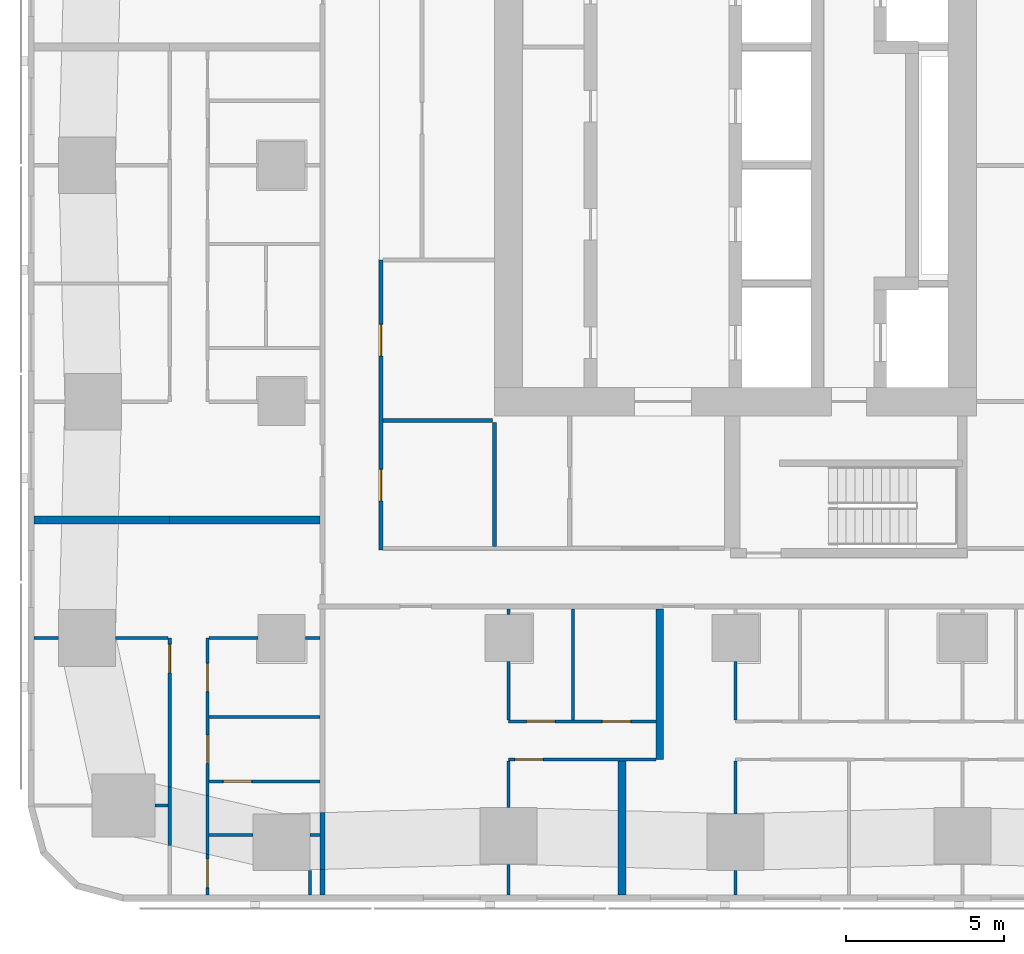
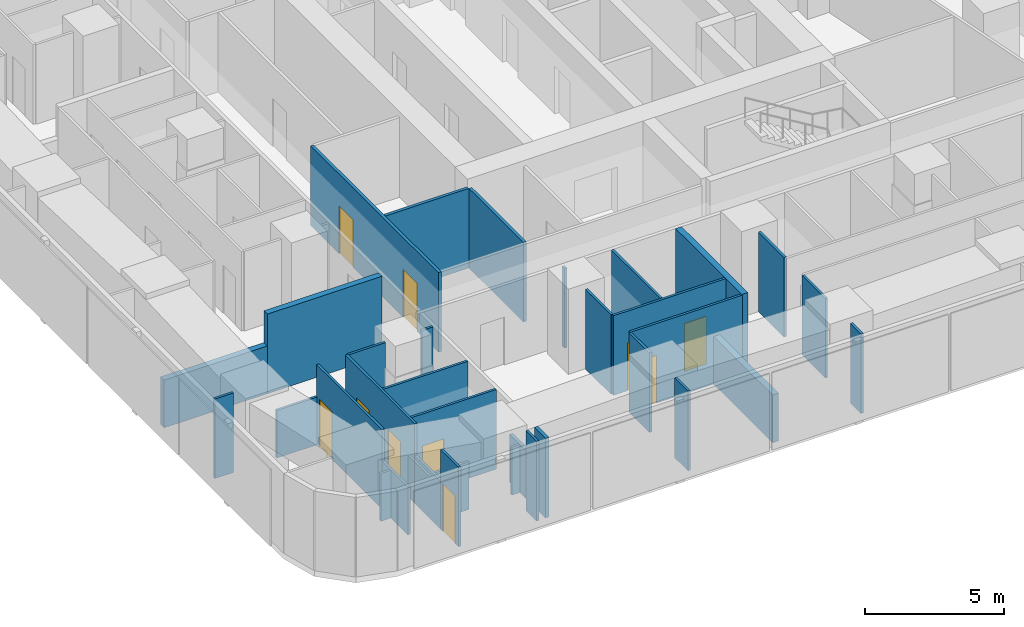
# One storey, part 2 of 15: 34 walls, 10 doors, 10 openings.
"""IFC4 building model written with IfcOpenShell, lengths in metres."""

import ifcopenshell
import ifcopenshell.guid

model = None  # the IFC model being written
_history = None  # IfcOwnerHistory: only IFC2X3 demands one
_inside = {}  # id of a spatial element -> (the spatial element, [elements in it])
_under = {}  # id of a project, library or spatial element -> (it, [spatial elements below it])
_declared = {}  # id of a project -> (the project, [libraries it declares])
_typed = {}  # id of a type object -> (the type object, [elements of that type])
_made_of = {}  # id of a material, layer set ... -> (it, [elements and type objects made of it])


def new_model(schema):
    """Start an empty IFC model of exactly this schema.

    Asked for "IFC4X3", IfcOpenShell would pick the latest addendum, in which some entities
    have other attributes; the version numbers below select the first issue.
    IFC2X3 requires an IfcOwnerHistory on every rooted entity: one is made here for all.
    """
    global model, _history
    if schema == "IFC4X3":
        model = ifcopenshell.file(schema_version=(4, 3, 0, 0))
    else:
        model = ifcopenshell.file(schema=schema)
    _inside.clear()
    _under.clear()
    _declared.clear()
    _typed.clear()
    _made_of.clear()
    _history = None
    if model.schema == "IFC2X3":
        org = make("IfcOrganization", Name="unknown")
        user = make(
            "IfcPersonAndOrganization",
            ThePerson=make("IfcPerson", FamilyName="unknown"),
            TheOrganization=org,
        )
        app = make(
            "IfcApplication",
            ApplicationDeveloper=org,
            Version="unknown",
            ApplicationFullName="unknown",
            ApplicationIdentifier="unknown",
        )
        _history = make(
            "IfcOwnerHistory",
            OwningUser=user,
            OwningApplication=app,
            ChangeAction="ADDED",
            CreationDate=0,
        )
    return model


def make(cls, **values):
    """One entity of the class cls with the attributes given. An attribute that is None is left unset."""
    return model.create_entity(
        cls, **{name: value for name, value in values.items() if value is not None}
    )


def rooted(cls, **values):
    """An entity with a GlobalId (a new one), such as an element, a storey or a relation."""
    return make(cls, GlobalId=ifcopenshell.guid.new(), OwnerHistory=_history, **values)


def si_unit(unit_type, name, prefix=None):
    """IfcSIUnit, for example si_unit("LENGTHUNIT", "METRE", prefix="MILLI")."""
    return make("IfcSIUnit", UnitType=unit_type, Prefix=prefix, Name=name)


def assignment(units):
    """IfcUnitAssignment: the units of a project."""
    return None if units is None else make("IfcUnitAssignment", Units=units)


def point(xyz):
    """IfcCartesianPoint."""
    return None if xyz is None else make("IfcCartesianPoint", Coordinates=xyz)


def direction(xyz):
    """IfcDirection."""
    return None if xyz is None else make("IfcDirection", DirectionRatios=xyz)


def frame(location, z_axis=None, x_axis=None):
    """IfcAxis2Placement3D, a coordinate frame: its origin and axes. An axis left out is left unset."""
    return make(
        "IfcAxis2Placement3D",
        Location=point(location),
        Axis=direction(z_axis),
        RefDirection=direction(x_axis),
    )


def frame_2d(location, x_axis=None):
    """IfcAxis2Placement2D, a coordinate frame in the plane: its origin and x axis."""
    return make(
        "IfcAxis2Placement2D", Location=point(location), RefDirection=direction(x_axis)
    )


def origin():
    """The frame at (0, 0, 0) with its axes left unset."""
    return frame((0.0, 0.0, 0.0))


def place(relative_to, where):
    """IfcLocalPlacement: puts the frame where relative to a parent placement (None: the world)."""
    return make(
        "IfcLocalPlacement", PlacementRelTo=relative_to, RelativePlacement=where
    )


def context(
    kind, dimensions, precision=None, world=None, true_north=None, identifier=None
):
    """IfcGeometricRepresentationContext, for example the 3D "Model" context."""
    return make(
        "IfcGeometricRepresentationContext",
        ContextIdentifier=identifier,
        ContextType=kind,
        CoordinateSpaceDimension=dimensions,
        Precision=precision,
        WorldCoordinateSystem=world,
        TrueNorth=true_north,
    )


def subcontext(parent, identifier, kind, view, scale=None):
    """IfcGeometricRepresentationSubContext, for example "Body" below "Model"."""
    return make(
        "IfcGeometricRepresentationSubContext",
        ContextIdentifier=identifier,
        ContextType=kind,
        ParentContext=parent,
        TargetScale=scale,
        TargetView=view,
    )


def project(units=None, contexts=None):
    """IfcProject with its units and contexts."""
    return rooted(
        "IfcProject",
        Name="project",
        RepresentationContexts=contexts,
        UnitsInContext=assignment(units),
    )


def spatial(cls, under=None, at=None, **own):
    """A site, building, storey or space (cls), placed at a placement, below another one or the project."""
    s = rooted(cls, ObjectPlacement=at, **own)
    if under is not None:
        _under.setdefault(under.id(), (under, []))[1].append(s)
    return s


def profile(cls, at=None, kind="AREA", **sizes):
    """A parametric profile (cls). Its sizes go by their IFC names, for example OverallWidth=200.0."""
    return make(cls, ProfileType=kind, Position=at, **sizes)


def rectangle(**sizes):
    """IfcRectangleProfileDef."""
    return profile("IfcRectangleProfileDef", **sizes)


def extrude(swept, where, along, depth):
    """IfcExtrudedAreaSolid: the profile swept, set in the frame where, extruded along a direction by depth."""
    return make(
        "IfcExtrudedAreaSolid",
        SweptArea=swept,
        Position=where,
        ExtrudedDirection=direction(along),
        Depth=depth,
    )


def shape(context_of_items, identifier, shape_type, items):
    """IfcShapeRepresentation: the items that make up one representation, for example the "Body"."""
    return make(
        "IfcShapeRepresentation",
        ContextOfItems=context_of_items,
        RepresentationIdentifier=identifier,
        RepresentationType=shape_type,
        Items=items,
    )


def material(Name=None, Category=None):
    """IfcMaterial."""
    return make("IfcMaterial", Name=Name, Category=Category)


def layer(
    of_material, thickness, ventilated=None, Name=None, Category=None, Priority=None
):
    """IfcMaterialLayer: one layer of a wall or slab, of a material (None: an air gap)."""
    return make(
        "IfcMaterialLayer",
        Material=of_material,
        LayerThickness=thickness,
        IsVentilated=ventilated,
        Name=Name,
        Category=Category,
        Priority=Priority,
    )


def layer_set(layers, Name=None):
    """IfcMaterialLayerSet."""
    return make("IfcMaterialLayerSet", MaterialLayers=layers, LayerSetName=Name)


def made_of(thing, what):
    """Note that an element or type object is made of a material, layer set ...; save() writes the relation."""
    if what is not None:
        _made_of.setdefault(what.id(), (what, []))[1].append(thing)
    return thing


def type_object(cls, material=None, **own):
    """A type object (cls), such as IfcWallType, which elements share."""
    return made_of(rooted(cls, **own), material)


def element(
    cls,
    number,
    at=None,
    inside=None,
    cuts=None,
    type_object=None,
    material=None,
    context=None,
    identifier="Body",
    shape_type=None,
    held_by="IfcProductDefinitionShape",
    body=None,
    shapes=None,
    **own,
):
    """One element of the class cls, such as IfcWall. Its Tag is "e" and its number.

    at: its placement. inside: the storey or other place that contains it. cuts: it is an
    opening in that element (IfcRelVoidsElement). A single representation is given by context,
    identifier, shape_type and body (its items); several are given by shapes. held_by: the class
    of the entity that holds the representations. save() writes the other relations.
    """
    e = rooted(cls, Tag="e%d" % number, ObjectPlacement=at, **own)
    if body is not None:
        shapes = [shape(context, identifier, shape_type, body)]
    if shapes is not None:
        e.Representation = make(held_by, Representations=shapes)
    if inside is not None:
        _inside.setdefault(inside.id(), (inside, []))[1].append(e)
    if cuts is not None:
        rooted(
            "IfcRelVoidsElement", RelatingBuildingElement=cuts, RelatedOpeningElement=e
        )
    if type_object is not None:
        _typed.setdefault(type_object.id(), (type_object, []))[1].append(e)
    return made_of(e, material)


def fill(opening, filler):
    """IfcRelFillsElement: the door or window that sits in an opening."""
    return rooted(
        "IfcRelFillsElement",
        RelatingOpeningElement=opening,
        RelatedBuildingElement=filler,
    )


def aggregate(whole, parts):
    """IfcRelAggregates: a whole, such as a stair, and the parts it consists of."""
    return rooted("IfcRelAggregates", RelatingObject=whole, RelatedObjects=parts)


def save(model, path):
    """Write the relations noted so far, then the file.

    IfcRelAggregates (storeys below a building ...), IfcRelContainedInSpatialStructure (elements
    in a storey), IfcRelDefinesByType, IfcRelAssociatesMaterial and IfcRelDeclares: one each for
    every whole, place, type object, material and project.
    """
    for whole, parts in _under.values():
        aggregate(whole, parts)
    for where, things in _inside.values():
        rooted(
            "IfcRelContainedInSpatialStructure",
            RelatedElements=things,
            RelatingStructure=where,
        )
    for kind, things in _typed.values():
        rooted("IfcRelDefinesByType", RelatedObjects=things, RelatingType=kind)
    for what, things in _made_of.values():
        rooted("IfcRelAssociatesMaterial", RelatedObjects=things, RelatingMaterial=what)
    for by, libraries in _declared.values():
        rooted("IfcRelDeclares", RelatingContext=by, RelatedDefinitions=libraries)
    model.write(path)


model = new_model("IFC4")

# Units and contexts
model_context = context("Model", 3, precision=1e-05, world=origin(), true_north=direction((0.0, 1.0)))
body_context = subcontext(model_context, "Body", "Model", "MODEL_VIEW")
ifc_project = project(units=[si_unit("LENGTHUNIT", "METRE"), si_unit("AREAUNIT", "SQUARE_METRE"), si_unit("VOLUMEUNIT", "CUBIC_METRE"), si_unit("PLANEANGLEUNIT", "RADIAN"), si_unit("MASSUNIT", "GRAM", prefix="KILO")], contexts=[model_context])

# Site, building, storey
site_placement = place(None, origin())
site = spatial("IfcSite", under=ifc_project, at=site_placement, CompositionType="ELEMENT")
building_placement = place(site_placement, origin())
building = spatial("IfcBuilding", under=site, at=building_placement, Name="Sheger Commons Tower", CompositionType="ELEMENT")
storey_placement = place(building_placement, frame((0.0, 0.0, 162.050048828125)))
storey = spatial("IfcBuildingStorey", under=building, at=storey_placement, Name="L41", CompositionType="ELEMENT", Elevation=162.050048828125)

# Walls
ifc_material_1 = material(Name="Hollow concrete block masonry, skimmed both sides", Category="masonry")
ifc_layer_1 = layer(ifc_material_1, 0.14990234375)
ifc_layer_set_1 = layer_set([ifc_layer_1], Name="CORRIDOR WALL 150")
wall_type_1 = type_object("IfcWallType", Name="CORRIDOR WALL 150", PredefinedType="SOLIDWALL", material=ifc_layer_set_1)
wall_1_placement = place(storey_placement, frame((8.5, -0.64990234375, 0.0), z_axis=(0.0, 0.0, 1.0), x_axis=(0.0, 1.0, 0.0)))
element("IfcWall", 1, at=wall_1_placement, inside=storey, type_object=wall_type_1, Name="Corridor wall L41", PredefinedType="SOLIDWALL", context=body_context, shape_type="SweptSolid", body=[
    extrude(rectangle(XDim=0.808837890625, YDim=0.14990234375, at=frame_2d((0.404296875, 0.0))), origin(), (0.0, 0.0, 1.0), 3.5),
])
wall_2_placement = place(storey_placement, frame((8.5, 0.158935546875, 0.0), z_axis=(0.0, 0.0, 1.0), x_axis=(0.0, 1.0, 0.0)))
element("IfcWall", 2, at=wall_2_placement, inside=storey, type_object=wall_type_1, Name="Corridor wall L41", PredefinedType="SOLIDWALL", context=body_context, shape_type="SweptSolid", body=[
    extrude(rectangle(XDim=1.80517578125, YDim=0.14990234375, at=frame_2d((0.902587890625, 0.0))), origin(), (0.0, 0.0, 1.0), 2.099853515625),
])
ifc_material_2 = material(Name="Dense concrete block masonry, plastered both sides (separating wall between flats)", Category="masonry")
ifc_layer_2 = layer(ifc_material_2, 0.25)
ifc_layer_set_2 = layer_set([ifc_layer_2], Name="DEMISING WALL 250")
wall_type_2 = type_object("IfcWallType", Name="DEMISING WALL 250", PredefinedType="SOLIDWALL", material=ifc_layer_set_2)
wall_3_placement = place(storey_placement, frame((-0.64990234375, 11.25, 0.0), z_axis=(0.0, 0.0, 1.0), x_axis=(1.0, 0.0, 0.0)))
element("IfcWall", 3, at=wall_3_placement, inside=storey, type_object=wall_type_2, Name="Demising wall L41", PredefinedType="SOLIDWALL", context=body_context, shape_type="SweptSolid", body=[
    extrude(rectangle(XDim=4.2998046875, YDim=0.25, at=frame_2d((2.14990234375, 0.0))), origin(), (0.0, 0.0, 1.0), 2.099853515625),
])
wall_4_placement = place(storey_placement, frame((3.64990234375, 11.25, 0.0), z_axis=(0.0, 0.0, 1.0), x_axis=(1.0, 0.0, 0.0)))
element("IfcWall", 4, at=wall_4_placement, inside=storey, type_object=wall_type_2, Name="Demising wall L41", PredefinedType="SOLIDWALL", context=body_context, shape_type="SweptSolid", body=[
    extrude(rectangle(XDim=4.775146484375, YDim=0.25, at=frame_2d((2.3876953125, 0.0))), origin(), (0.0, 0.0, 1.0), 3.5),
])
wall_5_placement = place(storey_placement, frame((18.0, -0.64990234375, 0.0), z_axis=(0.0, 0.0, 1.0), x_axis=(0.0, 1.0, 0.0)))
element("IfcWall", 5, at=wall_5_placement, inside=storey, type_object=wall_type_2, Name="Demising wall L41", PredefinedType="SOLIDWALL", context=body_context, shape_type="SweptSolid", body=[
    extrude(rectangle(XDim=4.25, YDim=0.25, at=frame_2d((2.125, 0.0))), origin(), (0.0, 0.0, 1.0), 2.099853515625),
])
wall_6_placement = place(storey_placement, frame((19.198974609375, 3.64990234375, 0.0), z_axis=(0.0, 0.0, 1.0), x_axis=(0.0, 1.0, 0.0)))
element("IfcWall", 6, at=wall_6_placement, inside=storey, type_object=wall_type_2, Name="Demising wall L41", PredefinedType="SOLIDWALL", context=body_context, shape_type="SweptSolid", body=[
    extrude(rectangle(XDim=4.775146484375, YDim=0.25, at=frame_2d((2.3876953125, 0.0))), origin(), (0.0, 0.0, 1.0), 3.5),
])
ifc_material_3 = material(Name="Gypsum board on steel studs", Category="steel")
ifc_layer_3 = layer(ifc_material_3, 0.10009765625)
ifc_layer_set_3 = layer_set([ifc_layer_3], Name="PARTITION 100")
wall_type_3 = type_object("IfcWallType", Name="PARTITION 100", PredefinedType="PARTITIONING", material=ifc_layer_set_3)
wall_7_placement = place(storey_placement, frame((8.10009765625, 0.1240234375, 0.0), z_axis=(0.0, 0.0, 1.0), x_axis=(0.0, -1.0, 0.0)))
element("IfcWall", 7, at=wall_7_placement, inside=storey, type_object=wall_type_3, Name="Partition L41", PredefinedType="PARTITIONING", context=body_context, shape_type="SweptSolid", body=[
    extrude(rectangle(XDim=0.77392578125, YDim=0.10009765625, at=frame_2d((0.386962890625, 0.0))), origin(), (0.0, 0.0, 1.0), 3.5),
])
wall_8_placement = place(storey_placement, frame((3.64990234375, 0.912109375, 0.0), z_axis=(0.0, 0.0, 1.0), x_axis=(0.0, 1.0, 0.0)))
element("IfcWall", 8, at=wall_8_placement, inside=storey, type_object=wall_type_3, Name="Partition L41", PredefinedType="PARTITIONING", context=body_context, shape_type="SweptSolid", body=[
    extrude(rectangle(XDim=1.869873046875, YDim=0.10009765625, at=frame_2d((0.93505859375, 0.0))), origin(), (0.0, 0.0, 1.0), 2.099853515625),
])

# Wall, opening, door
wall_9_placement = place(storey_placement, frame((3.64990234375, 2.781982421875, 0.0), z_axis=(0.0, 0.0, 1.0), x_axis=(0.0, 1.0, 0.0)))
wall_9 = element("IfcWall", 9, at=wall_9_placement, inside=storey, type_object=wall_type_3, Name="Partition L41", PredefinedType="PARTITIONING", context=body_context, shape_type="SweptSolid", body=[
    extrude(rectangle(XDim=4.718017578125, YDim=0.10009765625, at=frame_2d((2.35888671875, 0.0))), origin(), (0.0, 0.0, 1.0), 3.5),
])
opening_1_placement = place(wall_9_placement, frame((3.617919921875, 0.0, 0.0)))
opening_1 = element("IfcOpeningElement", 10, at=opening_1_placement, cuts=wall_9, Name="Opening D2", PredefinedType="OPENING", context=body_context, shape_type="SweptSolid", body=[
    extrude(rectangle(XDim=0.89990234375, YDim=2.10009765625, at=frame_2d((0.449951171875, 1.050048828125))), frame((0.0, 0.06005859375, 0.0), z_axis=(0.0, -1.0, 0.0), x_axis=(1.0, 0.0, 0.0)), (0.0, 0.0, 1.0), 0.1201171875),
])
ifc_material_4 = material(Name="Timber door set", Category="wood")
door_type_1 = type_object("IfcDoorType", Name="INTERNAL DOOR 900x2100", OperationType="NOTDEFINED", PredefinedType="DOOR", material=ifc_material_4)
door_1_placement = place(opening_1_placement, origin())
door_1 = element("IfcDoor", 11, at=door_1_placement, inside=storey, type_object=door_type_1, Name="Main bedroom door", OperationType="SINGLE_SWING_RIGHT", OverallHeight=2.10009765625, OverallWidth=0.89990234375, PredefinedType="DOOR", context=body_context, shape_type="SweptSolid", body=[
    extrude(rectangle(XDim=0.89990234375, YDim=2.10009765625, at=frame_2d((0.449951171875, 1.050048828125))), frame((0.0, 0.02490234375, 0.0), z_axis=(0.0, -1.0, 0.0), x_axis=(1.0, 0.0, 0.0)), (0.0, 0.0, 1.0), 0.050048828125),
])
fill(opening_1, door_1)

wall_10_placement = place(storey_placement, frame((4.85009765625, -0.64990234375, 0.0), z_axis=(0.0, 0.0, 1.0), x_axis=(0.0, 1.0, 0.0)))
wall_10 = element("IfcWall", 12, at=wall_10_placement, inside=storey, type_object=wall_type_3, Name="Partition L41", PredefinedType="PARTITIONING", context=body_context, shape_type="SweptSolid", body=[
    extrude(rectangle(XDim=1.283935546875, YDim=0.10009765625, at=frame_2d((0.64208984375, 0.0))), origin(), (0.0, 0.0, 1.0), 3.5),
])
opening_2_placement = place(wall_10_placement, frame((0.23388671875, 0.0, 0.0)))
opening_2 = element("IfcOpeningElement", 13, at=opening_2_placement, cuts=wall_10, Name="Opening D2", PredefinedType="OPENING", context=body_context, shape_type="SweptSolid", body=[
    extrude(rectangle(XDim=0.89990234375, YDim=2.10009765625, at=frame_2d((0.449951171875, 1.050048828125))), frame((0.0, 0.06005859375, 0.0), z_axis=(0.0, -1.0, 0.0), x_axis=(1.0, 0.0, 0.0)), (0.0, 0.0, 1.0), 0.1201171875),
])
door_2_placement = place(opening_2_placement, origin())
door_2 = element("IfcDoor", 14, at=door_2_placement, inside=storey, type_object=door_type_1, Name="Laundry room door", OperationType="SINGLE_SWING_LEFT", OverallHeight=2.10009765625, OverallWidth=0.89990234375, PredefinedType="DOOR", context=body_context, shape_type="SweptSolid", body=[
    extrude(rectangle(XDim=0.89990234375, YDim=2.10009765625, at=frame_2d((0.449951171875, 1.050048828125))), frame((0.0, 0.02490234375, 0.0), z_axis=(0.0, -1.0, 0.0), x_axis=(1.0, 0.0, 0.0)), (0.0, 0.0, 1.0), 0.050048828125),
])
fill(opening_2, door_2)

# Wall
wall_11_placement = place(storey_placement, frame((4.85009765625, 0.634033203125, 0.0), z_axis=(0.0, 0.0, 1.0), x_axis=(0.0, 1.0, 0.0)))
element("IfcWall", 15, at=wall_11_placement, inside=storey, type_object=wall_type_3, Name="Partition L41", PredefinedType="PARTITIONING", context=body_context, shape_type="SweptSolid", body=[
    extrude(rectangle(XDim=1.870849609375, YDim=0.10009765625, at=frame_2d((0.935546875, 0.0))), origin(), (0.0, 0.0, 1.0), 2.099853515625),
])

# Wall, openings, doors
wall_12_placement = place(storey_placement, frame((4.85009765625, 2.5048828125, 0.0), z_axis=(0.0, 0.0, 1.0), x_axis=(0.0, 1.0, 0.0)))
wall_12 = element("IfcWall", 16, at=wall_12_placement, inside=storey, type_object=wall_type_3, Name="Partition L41", PredefinedType="PARTITIONING", context=body_context, shape_type="SweptSolid", body=[
    extrude(rectangle(XDim=4.9951171875, YDim=0.10009765625, at=frame_2d((2.49755859375, 0.0))), origin(), (0.0, 0.0, 1.0), 3.5),
])
opening_3_placement = place(wall_12_placement, frame((3.2939453125, 0.0, 0.0)))
opening_3 = element("IfcOpeningElement", 17, at=opening_3_placement, cuts=wall_12, Name="Opening D2", PredefinedType="OPENING", context=body_context, shape_type="SweptSolid", body=[
    extrude(rectangle(XDim=0.89990234375, YDim=2.10009765625, at=frame_2d((0.449951171875, 1.050048828125))), frame((0.0, 0.06005859375, 0.0), z_axis=(0.0, -1.0, 0.0), x_axis=(1.0, 0.0, 0.0)), (0.0, 0.0, 1.0), 0.1201171875),
])
opening_4_placement = place(wall_12_placement, frame((1.01904296875, 0.0, 0.0)))
opening_4 = element("IfcOpeningElement", 18, at=opening_4_placement, cuts=wall_12, Name="Opening D2", PredefinedType="OPENING", context=body_context, shape_type="SweptSolid", body=[
    extrude(rectangle(XDim=0.89990234375, YDim=2.10009765625, at=frame_2d((0.449951171875, 1.050048828125))), frame((0.0, 0.06005859375, 0.0), z_axis=(0.0, -1.0, 0.0), x_axis=(1.0, 0.0, 0.0)), (0.0, 0.0, 1.0), 0.1201171875),
])
door_3_placement = place(opening_3_placement, origin())
door_3 = element("IfcDoor", 19, at=door_3_placement, inside=storey, type_object=door_type_1, Name="Store and laundry door", OperationType="SINGLE_SWING_LEFT", OverallHeight=2.10009765625, OverallWidth=0.89990234375, PredefinedType="DOOR", context=body_context, shape_type="SweptSolid", body=[
    extrude(rectangle(XDim=0.89990234375, YDim=2.10009765625, at=frame_2d((0.449951171875, 1.050048828125))), frame((0.0, 0.02490234375, 0.0), z_axis=(0.0, -1.0, 0.0), x_axis=(1.0, 0.0, 0.0)), (0.0, 0.0, 1.0), 0.050048828125),
])
fill(opening_3, door_3)
door_4_placement = place(opening_4_placement, origin())
door_4 = element("IfcDoor", 20, at=door_4_placement, inside=storey, type_object=door_type_1, Name="Bathroom door", OperationType="SINGLE_SWING_LEFT", OverallHeight=2.10009765625, OverallWidth=0.89990234375, PredefinedType="DOOR", context=body_context, shape_type="SweptSolid", body=[
    extrude(rectangle(XDim=0.89990234375, YDim=2.10009765625, at=frame_2d((0.449951171875, 1.050048828125))), frame((0.0, 0.02490234375, 0.0), z_axis=(0.0, -1.0, 0.0), x_axis=(1.0, 0.0, 0.0)), (0.0, 0.0, 1.0), 0.050048828125),
])
fill(opening_4, door_4)

# Walls
wall_13_placement = place(storey_placement, frame((3.18701171875, 2.18603515625, 0.0), z_axis=(0.0, 0.0, 1.0), x_axis=(1.0, 0.0, 0.0)))
element("IfcWall", 21, at=wall_13_placement, inside=storey, type_object=wall_type_3, Name="Partition L41", PredefinedType="PARTITIONING", context=body_context, shape_type="SweptSolid", body=[
    extrude(rectangle(XDim=0.4130859375, YDim=0.10009765625, at=frame_2d((0.20654296875, 0.0))), origin(), (0.0, 0.0, 1.0), 2.099853515625),
])
wall_14_placement = place(storey_placement, frame((-0.64990234375, 7.5, 0.0), z_axis=(0.0, 0.0, 1.0), x_axis=(1.0, 0.0, 0.0)))
element("IfcWall", 22, at=wall_14_placement, inside=storey, type_object=wall_type_3, Name="Partition L41", PredefinedType="PARTITIONING", context=body_context, shape_type="SweptSolid", body=[
    extrude(rectangle(XDim=0.77392578125, YDim=0.10009765625, at=frame_2d((0.386962890625, 0.0))), origin(), (0.0, 0.0, 1.0), 3.5),
])
wall_15_placement = place(storey_placement, frame((1.926025390625, 7.5, 0.0), z_axis=(0.0, 0.0, 1.0), x_axis=(1.0, 0.0, 0.0)))
element("IfcWall", 23, at=wall_15_placement, inside=storey, type_object=wall_type_3, Name="Partition L41", PredefinedType="PARTITIONING", context=body_context, shape_type="SweptSolid", body=[
    extrude(rectangle(XDim=1.674072265625, YDim=0.10009765625, at=frame_2d((0.8369140625, 0.0))), origin(), (0.0, 0.0, 1.0), 2.099853515625),
])
wall_16_placement = place(storey_placement, frame((4.89990234375, 4.9990234375, 0.0), z_axis=(0.0, 0.0, 1.0), x_axis=(1.0, 0.0, 0.0)))
element("IfcWall", 24, at=wall_16_placement, inside=storey, type_object=wall_type_3, Name="Partition L41", PredefinedType="PARTITIONING", context=body_context, shape_type="SweptSolid", body=[
    extrude(rectangle(XDim=3.525146484375, YDim=0.10009765625, at=frame_2d((1.7626953125, 0.0))), origin(), (0.0, 0.0, 1.0), 3.5),
])
wall_17_placement = place(storey_placement, frame((4.89990234375, 7.5, 0.0), z_axis=(0.0, 0.0, 1.0), x_axis=(1.0, 0.0, 0.0)))
element("IfcWall", 25, at=wall_17_placement, inside=storey, type_object=wall_type_3, Name="Partition L41", PredefinedType="PARTITIONING", context=body_context, shape_type="SweptSolid", body=[
    extrude(rectangle(XDim=1.549072265625, YDim=0.10009765625, at=frame_2d((0.7744140625, 0.0))), origin(), (0.0, 0.0, 1.0), 3.5),
])
wall_18_placement = place(storey_placement, frame((7.950927734375, 7.5, 0.0), z_axis=(0.0, 0.0, 1.0), x_axis=(1.0, 0.0, 0.0)))
element("IfcWall", 26, at=wall_18_placement, inside=storey, type_object=wall_type_3, Name="Partition L41", PredefinedType="PARTITIONING", context=body_context, shape_type="SweptSolid", body=[
    extrude(rectangle(XDim=0.47412109375, YDim=0.10009765625, at=frame_2d((0.237060546875, 0.0))), origin(), (0.0, 0.0, 1.0), 3.5),
])
wall_19_placement = place(storey_placement, frame((4.89990234375, 1.2490234375, 0.0), z_axis=(0.0, 0.0, 1.0), x_axis=(1.0, 0.0, 0.0)))
element("IfcWall", 27, at=wall_19_placement, inside=storey, type_object=wall_type_3, Name="Partition L41", PredefinedType="PARTITIONING", context=body_context, shape_type="SweptSolid", body=[
    extrude(rectangle(XDim=1.399169921875, YDim=0.10009765625, at=frame_2d((0.69970703125, 0.0))), origin(), (0.0, 0.0, 1.0), 2.099853515625),
])
wall_20_placement = place(storey_placement, frame((8.10107421875, 1.2490234375, 0.0), z_axis=(0.0, 0.0, 1.0), x_axis=(1.0, 0.0, 0.0)))
element("IfcWall", 28, at=wall_20_placement, inside=storey, type_object=wall_type_3, Name="Partition L41", PredefinedType="PARTITIONING", context=body_context, shape_type="SweptSolid", body=[
    extrude(rectangle(XDim=0.323974609375, YDim=0.10009765625, at=frame_2d((0.162109375, 0.0))), origin(), (0.0, 0.0, 1.0), 2.099853515625),
])

# Wall, opening, door
wall_21_placement = place(storey_placement, frame((4.89990234375, 2.948974609375, 0.0), z_axis=(0.0, 0.0, 1.0), x_axis=(1.0, 0.0, 0.0)))
wall_21 = element("IfcWall", 29, at=wall_21_placement, inside=storey, type_object=wall_type_3, Name="Partition L41", PredefinedType="PARTITIONING", context=body_context, shape_type="SweptSolid", body=[
    extrude(rectangle(XDim=3.525146484375, YDim=0.10009765625, at=frame_2d((1.7626953125, 0.0))), origin(), (0.0, 0.0, 1.0), 3.5),
])
opening_5_placement = place(wall_21_placement, frame((0.449951171875, 0.0, 0.0)))
opening_5 = element("IfcOpeningElement", 30, at=opening_5_placement, cuts=wall_21, Name="Opening D2", PredefinedType="OPENING", context=body_context, shape_type="SweptSolid", body=[
    extrude(rectangle(XDim=0.89990234375, YDim=2.10009765625, at=frame_2d((0.449951171875, 1.050048828125))), frame((0.0, 0.06005859375, 0.0), z_axis=(0.0, -1.0, 0.0), x_axis=(1.0, 0.0, 0.0)), (0.0, 0.0, 1.0), 0.1201171875),
])
door_5_placement = place(opening_5_placement, origin())
door_5 = element("IfcDoor", 31, at=door_5_placement, inside=storey, type_object=door_type_1, Name="Linen store door", OperationType="SINGLE_SWING_RIGHT", OverallHeight=2.10009765625, OverallWidth=0.89990234375, PredefinedType="DOOR", context=body_context, shape_type="SweptSolid", body=[
    extrude(rectangle(XDim=0.89990234375, YDim=2.10009765625, at=frame_2d((0.449951171875, 1.050048828125))), frame((0.0, 0.02490234375, 0.0), z_axis=(0.0, -1.0, 0.0), x_axis=(1.0, 0.0, 0.0)), (0.0, 0.0, 1.0), 0.050048828125),
])
fill(opening_5, door_5)

wall_22_placement = place(storey_placement, frame((19.073974609375, 3.64990234375, 0.0), z_axis=(0.0, 0.0, 1.0), x_axis=(-1.0, 0.0, 0.0)))
wall_22 = element("IfcWall", 32, at=wall_22_placement, inside=storey, type_object=wall_type_3, Name="Partition L41", PredefinedType="PARTITIONING", context=body_context, shape_type="SweptSolid", body=[
    extrude(rectangle(XDim=4.674072265625, YDim=0.10009765625, at=frame_2d((2.3369140625, 0.0))), origin(), (0.0, 0.0, 1.0), 3.5),
])
opening_6_placement = place(wall_22_placement, frame((3.573974609375, 0.0, 0.0)))
opening_6 = element("IfcOpeningElement", 33, at=opening_6_placement, cuts=wall_22, Name="Opening D2", PredefinedType="OPENING", context=body_context, shape_type="SweptSolid", body=[
    extrude(rectangle(XDim=0.89990234375, YDim=2.10009765625, at=frame_2d((0.449951171875, 1.050048828125))), frame((0.0, 0.06005859375, 0.0), z_axis=(0.0, -1.0, 0.0), x_axis=(1.0, 0.0, 0.0)), (0.0, 0.0, 1.0), 0.1201171875),
])
door_6_placement = place(opening_6_placement, origin())
door_6 = element("IfcDoor", 34, at=door_6_placement, inside=storey, type_object=door_type_1, Name="Main bedroom door", OperationType="SINGLE_SWING_RIGHT", OverallHeight=2.10009765625, OverallWidth=0.89990234375, PredefinedType="DOOR", context=body_context, shape_type="SweptSolid", body=[
    extrude(rectangle(XDim=0.89990234375, YDim=2.10009765625, at=frame_2d((0.449951171875, 1.050048828125))), frame((0.0, 0.02490234375, 0.0), z_axis=(0.0, -1.0, 0.0), x_axis=(1.0, 0.0, 0.0)), (0.0, 0.0, 1.0), 0.050048828125),
])
fill(opening_6, door_6)

# Wall, openings, doors
wall_23_placement = place(storey_placement, frame((19.073974609375, 4.85009765625, 0.0), z_axis=(0.0, 0.0, 1.0), x_axis=(-1.0, 0.0, 0.0)))
wall_23 = element("IfcWall", 35, at=wall_23_placement, inside=storey, type_object=wall_type_3, Name="Partition L41", PredefinedType="PARTITIONING", context=body_context, shape_type="SweptSolid", body=[
    extrude(rectangle(XDim=4.674072265625, YDim=0.10009765625, at=frame_2d((2.3369140625, 0.0))), origin(), (0.0, 0.0, 1.0), 3.5),
])
opening_7_placement = place(wall_23_placement, frame((3.198974609375, 0.0, 0.0)))
opening_7 = element("IfcOpeningElement", 36, at=opening_7_placement, cuts=wall_23, Name="Opening D2", PredefinedType="OPENING", context=body_context, shape_type="SweptSolid", body=[
    extrude(rectangle(XDim=0.89990234375, YDim=2.10009765625, at=frame_2d((0.449951171875, 1.050048828125))), frame((0.0, 0.06005859375, 0.0), z_axis=(0.0, -1.0, 0.0), x_axis=(1.0, 0.0, 0.0)), (0.0, 0.0, 1.0), 0.1201171875),
])
opening_8_placement = place(wall_23_placement, frame((0.799072265625, 0.0, 0.0)))
opening_8 = element("IfcOpeningElement", 37, at=opening_8_placement, cuts=wall_23, Name="Opening D2", PredefinedType="OPENING", context=body_context, shape_type="SweptSolid", body=[
    extrude(rectangle(XDim=0.89990234375, YDim=2.10009765625, at=frame_2d((0.449951171875, 1.050048828125))), frame((0.0, 0.06005859375, 0.0), z_axis=(0.0, -1.0, 0.0), x_axis=(1.0, 0.0, 0.0)), (0.0, 0.0, 1.0), 0.1201171875),
])
door_7_placement = place(opening_7_placement, origin())
door_7 = element("IfcDoor", 38, at=door_7_placement, inside=storey, type_object=door_type_1, Name="Bathroom door", OperationType="SINGLE_SWING_LEFT", OverallHeight=2.10009765625, OverallWidth=0.89990234375, PredefinedType="DOOR", context=body_context, shape_type="SweptSolid", body=[
    extrude(rectangle(XDim=0.89990234375, YDim=2.10009765625, at=frame_2d((0.449951171875, 1.050048828125))), frame((0.0, 0.02490234375, 0.0), z_axis=(0.0, -1.0, 0.0), x_axis=(1.0, 0.0, 0.0)), (0.0, 0.0, 1.0), 0.050048828125),
])
fill(opening_7, door_7)
door_8_placement = place(opening_8_placement, origin())
door_8 = element("IfcDoor", 39, at=door_8_placement, inside=storey, type_object=door_type_1, Name="Store door", OperationType="SINGLE_SWING_RIGHT", OverallHeight=2.10009765625, OverallWidth=0.89990234375, PredefinedType="DOOR", context=body_context, shape_type="SweptSolid", body=[
    extrude(rectangle(XDim=0.89990234375, YDim=2.10009765625, at=frame_2d((0.449951171875, 1.050048828125))), frame((0.0, 0.02490234375, 0.0), z_axis=(0.0, -1.0, 0.0), x_axis=(1.0, 0.0, 0.0)), (0.0, 0.0, 1.0), 0.050048828125),
])
fill(opening_8, door_8)

# Walls
wall_24_placement = place(storey_placement, frame((14.39990234375, -0.64990234375, 0.0), z_axis=(0.0, 0.0, 1.0), x_axis=(0.0, 1.0, 0.0)))
element("IfcWall", 40, at=wall_24_placement, inside=storey, type_object=wall_type_3, Name="Partition L41", PredefinedType="PARTITIONING", context=body_context, shape_type="SweptSolid", body=[
    extrude(rectangle(XDim=0.973876953125, YDim=0.10009765625, at=frame_2d((0.48681640625, 0.0))), origin(), (0.0, 0.0, 1.0), 3.5),
])
wall_25_placement = place(storey_placement, frame((14.39990234375, 2.1259765625, 0.0), z_axis=(0.0, 0.0, 1.0), x_axis=(0.0, 1.0, 0.0)))
element("IfcWall", 41, at=wall_25_placement, inside=storey, type_object=wall_type_3, Name="Partition L41", PredefinedType="PARTITIONING", context=body_context, shape_type="SweptSolid", body=[
    extrude(rectangle(XDim=1.47412109375, YDim=0.10009765625, at=frame_2d((0.737060546875, 0.0))), origin(), (0.0, 0.0, 1.0), 3.5),
])
wall_26_placement = place(storey_placement, frame((14.39990234375, 4.89990234375, 0.0), z_axis=(0.0, 0.0, 1.0), x_axis=(0.0, 1.0, 0.0)))
element("IfcWall", 42, at=wall_26_placement, inside=storey, type_object=wall_type_3, Name="Partition L41", PredefinedType="PARTITIONING", context=body_context, shape_type="SweptSolid", body=[
    extrude(rectangle(XDim=1.84912109375, YDim=0.10009765625, at=frame_2d((0.924560546875, 0.0))), origin(), (0.0, 0.0, 1.0), 3.5),
])
wall_27_placement = place(storey_placement, frame((14.39990234375, 8.2509765625, 0.0), z_axis=(0.0, 0.0, 1.0), x_axis=(0.0, 1.0, 0.0)))
element("IfcWall", 43, at=wall_27_placement, inside=storey, type_object=wall_type_3, Name="Partition L41", PredefinedType="PARTITIONING", context=body_context, shape_type="SweptSolid", body=[
    extrude(rectangle(XDim=0.174072265625, YDim=0.10009765625, at=frame_2d((0.0869140625, 0.0))), origin(), (0.0, 0.0, 1.0), 3.5),
])
wall_28_placement = place(storey_placement, frame((16.449951171875, 4.89990234375, 0.0), z_axis=(0.0, 0.0, 1.0), x_axis=(0.0, 1.0, 0.0)))
element("IfcWall", 44, at=wall_28_placement, inside=storey, type_object=wall_type_3, Name="Partition L41", PredefinedType="PARTITIONING", context=body_context, shape_type="SweptSolid", body=[
    extrude(rectangle(XDim=3.525146484375, YDim=0.10009765625, at=frame_2d((1.7626953125, 0.0))), origin(), (0.0, 0.0, 1.0), 3.5),
])
wall_29_placement = place(storey_placement, frame((21.60009765625, -0.64990234375, 0.0), z_axis=(0.0, 0.0, 1.0), x_axis=(0.0, 1.0, 0.0)))
element("IfcWall", 45, at=wall_29_placement, inside=storey, type_object=wall_type_3, Name="Partition L41", PredefinedType="PARTITIONING", context=body_context, shape_type="SweptSolid", body=[
    extrude(rectangle(XDim=0.77392578125, YDim=0.10009765625, at=frame_2d((0.386962890625, 0.0))), origin(), (0.0, 0.0, 1.0), 3.5),
])
wall_30_placement = place(storey_placement, frame((21.60009765625, 1.926025390625, 0.0), z_axis=(0.0, 0.0, 1.0), x_axis=(0.0, 1.0, 0.0)))
element("IfcWall", 46, at=wall_30_placement, inside=storey, type_object=wall_type_3, Name="Partition L41", PredefinedType="PARTITIONING", context=body_context, shape_type="SweptSolid", body=[
    extrude(rectangle(XDim=1.674072265625, YDim=0.10009765625, at=frame_2d((0.8369140625, 0.0))), origin(), (0.0, 0.0, 1.0), 3.5),
])
wall_31_placement = place(storey_placement, frame((21.60009765625, 4.89990234375, 0.0), z_axis=(0.0, 0.0, 1.0), x_axis=(0.0, 1.0, 0.0)))
element("IfcWall", 47, at=wall_31_placement, inside=storey, type_object=wall_type_3, Name="Partition L41", PredefinedType="PARTITIONING", context=body_context, shape_type="SweptSolid", body=[
    extrude(rectangle(XDim=1.84912109375, YDim=0.10009765625, at=frame_2d((0.924560546875, 0.0))), origin(), (0.0, 0.0, 1.0), 3.5),
])

# Wall, openings, doors
ifc_material_5 = material(Name="Gypsum board on steel studs, two layers each side, fire rated", Category="steel")
ifc_layer_4 = layer(ifc_material_5, 0.125)
ifc_layer_set_4 = layer_set([ifc_layer_4], Name="SERVICE WALL 125")
wall_type_4 = type_object("IfcWallType", Name="SERVICE WALL 125", PredefinedType="PARTITIONING", material=ifc_layer_set_4)
wall_32_placement = place(storey_placement, frame((10.35009765625, 10.300048828125, 0.0), z_axis=(0.0, 0.0, 1.0), x_axis=(0.0, 1.0, 0.0)))
wall_32 = element("IfcWall", 48, at=wall_32_placement, inside=storey, type_object=wall_type_4, Name="Service room wall L41", PredefinedType="PARTITIONING", context=body_context, shape_type="SweptSolid", body=[
    extrude(rectangle(XDim=9.199951171875, YDim=0.125, at=frame_2d((4.60009765625, 0.0))), origin(), (0.0, 0.0, 1.0), 3.5),
])
opening_9_placement = place(wall_32_placement, frame((1.550048828125, 0.0, 0.0)))
opening_9 = element("IfcOpeningElement", 49, at=opening_9_placement, cuts=wall_32, Name="Opening D4", PredefinedType="OPENING", context=body_context, shape_type="SweptSolid", body=[
    extrude(rectangle(XDim=1.0, YDim=2.10009765625, at=frame_2d((0.5, 1.050048828125))), frame((0.0, 0.072509765625, 0.0), z_axis=(0.0, -1.0, 0.0), x_axis=(1.0, 0.0, 0.0)), (0.0, 0.0, 1.0), 0.14501953125),
])
opening_10_placement = place(wall_32_placement, frame((6.14990234375, 0.0, 0.0)))
opening_10 = element("IfcOpeningElement", 50, at=opening_10_placement, cuts=wall_32, Name="Opening D4", PredefinedType="OPENING", context=body_context, shape_type="SweptSolid", body=[
    extrude(rectangle(XDim=1.0, YDim=2.10009765625, at=frame_2d((0.5, 1.050048828125))), frame((0.0, 0.072509765625, 0.0), z_axis=(0.0, -1.0, 0.0), x_axis=(1.0, 0.0, 0.0)), (0.0, 0.0, 1.0), 0.14501953125),
])
ifc_material_6 = material(Name="Steel door set, fire rated", Category="steel")
door_type_2 = type_object("IfcDoorType", Name="SERVICE DOOR 1000x2100", OperationType="NOTDEFINED", PredefinedType="DOOR", material=ifc_material_6)
door_9_placement = place(opening_9_placement, origin())
door_9 = element("IfcDoor", 51, at=door_9_placement, inside=storey, type_object=door_type_2, Name="Refuse chute room door", OperationType="SINGLE_SWING_RIGHT", OverallHeight=2.10009765625, OverallWidth=1.0, PredefinedType="DOOR", context=body_context, shape_type="SweptSolid", body=[
    extrude(rectangle(XDim=1.0, YDim=2.10009765625, at=frame_2d((0.5, 1.050048828125))), frame((0.0, 0.02490234375, 0.0), z_axis=(0.0, -1.0, 0.0), x_axis=(1.0, 0.0, 0.0)), (0.0, 0.0, 1.0), 0.050048828125),
])
fill(opening_9, door_9)
door_10_placement = place(opening_10_placement, origin())
door_10 = element("IfcDoor", 52, at=door_10_placement, inside=storey, type_object=door_type_2, Name="Caretaker's store door", OperationType="SINGLE_SWING_LEFT", OverallHeight=2.10009765625, OverallWidth=1.0, PredefinedType="DOOR", context=body_context, shape_type="SweptSolid", body=[
    extrude(rectangle(XDim=1.0, YDim=2.10009765625, at=frame_2d((0.5, 1.050048828125))), frame((0.0, 0.02490234375, 0.0), z_axis=(0.0, -1.0, 0.0), x_axis=(1.0, 0.0, 0.0)), (0.0, 0.0, 1.0), 0.050048828125),
])
fill(opening_10, door_10)

# Walls
wall_33_placement = place(storey_placement, frame((10.4130859375, 14.39990234375, 0.0), z_axis=(0.0, 0.0, 1.0), x_axis=(1.0, 0.0, 0.0)))
element("IfcWall", 53, at=wall_33_placement, inside=storey, type_object=wall_type_4, Name="Service room wall L41", PredefinedType="PARTITIONING", context=body_context, shape_type="SweptSolid", body=[
    extrude(rectangle(XDim=3.474853515625, YDim=0.125, at=frame_2d((1.7373046875, 0.0))), origin(), (0.0, 0.0, 1.0), 3.5),
])
wall_34_placement = place(storey_placement, frame((13.949951171875, 10.4130859375, 0.0), z_axis=(0.0, 0.0, 1.0), x_axis=(0.0, 1.0, 0.0)))
element("IfcWall", 54, at=wall_34_placement, inside=storey, type_object=wall_type_4, Name="Service room wall L41", PredefinedType="PARTITIONING", context=body_context, shape_type="SweptSolid", body=[
    extrude(rectangle(XDim=3.9248046875, YDim=0.125, at=frame_2d((1.96240234375, 0.0))), origin(), (0.0, 0.0, 1.0), 3.5),
])

save(model, "model.ifc")
